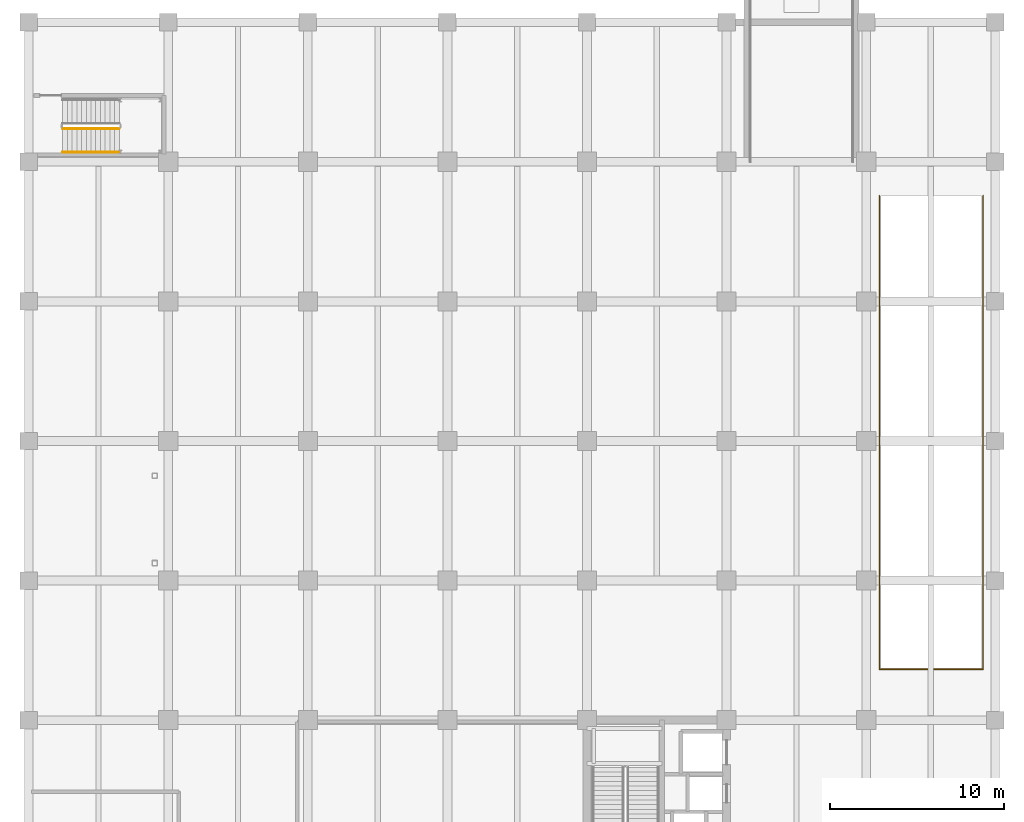
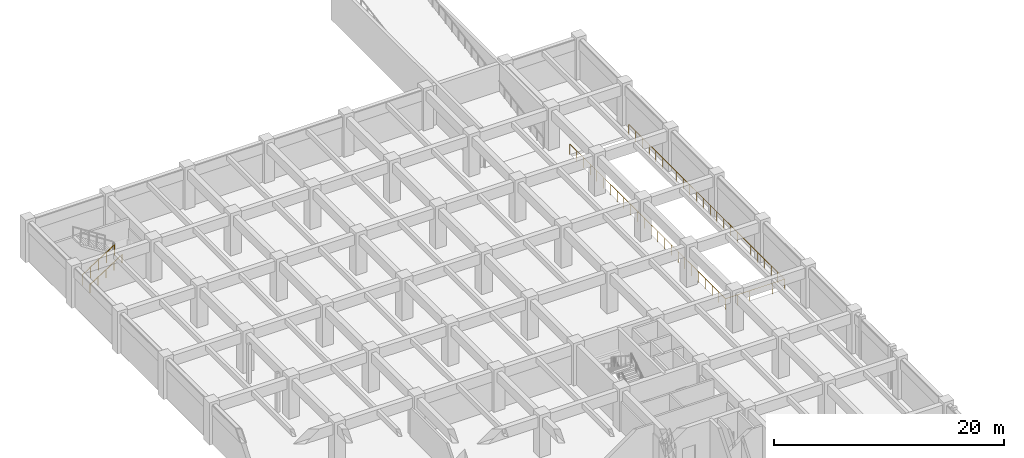
# One storey, part 14 of 16: 3 railings.
"""IFC4 building model written with IfcOpenShell, lengths in metres."""

from ifc_helpers import new_model, si_unit, direction, frame, origin, origin_2d, place, context, subcontext, project, spatial, circle, extrude, material, type_object, element, save


model = new_model("IFC4")

# Units and contexts
model_context = context("Model", 3, precision=1e-05, world=origin(), true_north=direction((0.0, 1.0)))
body_context = subcontext(model_context, "Body", "Model", "MODEL_VIEW")
ifc_project = project(units=[si_unit("LENGTHUNIT", "METRE"), si_unit("AREAUNIT", "SQUARE_METRE"), si_unit("VOLUMEUNIT", "CUBIC_METRE"), si_unit("PLANEANGLEUNIT", "RADIAN"), si_unit("MASSUNIT", "GRAM", prefix="KILO")], contexts=[model_context])

# Site, building, storey
site_placement = place(None, origin())
site = spatial("IfcSite", under=ifc_project, at=site_placement, CompositionType="ELEMENT")
building_placement = place(site_placement, origin())
building = spatial("IfcBuilding", under=site, at=building_placement, Name="Canggui Botanical Conservatory", CompositionType="ELEMENT")
storey_placement = place(building_placement, frame((0.0, 0.0, -4.5)))
storey = spatial("IfcBuildingStorey", under=building, at=storey_placement, Name="B1", CompositionType="ELEMENT", Elevation=-4.5)

# Railings
ifc_material_1 = material(Name="Stainless Steel 304", Category="steel")
railing_type_1 = type_object("IfcRailingType", Name="RAIL-GUARD-1100", PredefinedType="BALUSTRADE", material=ifc_material_1)
railing_1_placement = place(storey_placement, frame((123.949951171875, 99.89990234375, 0.173095703125)))
element("IfcRailing", 1, at=railing_1_placement, inside=storey, type_object=railing_type_1, Name="B1 ST-G2 stair guard 1", PredefinedType="BALUSTRADE", context=body_context, shape_type="SweptSolid", body=[
    extrude(circle(Radius=0.02392578125, at=origin_2d()), frame((0.0, 0.0, 1.076171875), z_axis=(0.841880617004, 0.0, 0.539663808971), x_axis=(0.0, 1.0, 0.0)), (0.0, 0.0, 1.0), 3.8486328125),
    extrude(circle(Radius=0.02099609375, at=origin_2d()), origin(), (0.0, 0.0, 1.0), 1.052001953125),
    extrude(circle(Radius=0.02099609375, at=origin_2d()), frame((0.81005859375, 0.0, 0.519287109375)), (0.0, 0.0, 1.0), 1.052001953125),
    extrude(circle(Radius=0.02099609375, at=origin_2d()), frame((1.6201171875, 0.0, 1.03857421875)), (0.0, 0.0, 1.0), 1.052001953125),
    extrude(circle(Radius=0.02099609375, at=origin_2d()), frame((2.429931640625, 0.0, 1.5576171875)), (0.0, 0.0, 1.0), 1.052001953125),
    extrude(circle(Radius=0.02099609375, at=origin_2d()), frame((3.239990234375, 0.0, 2.076904296875)), (0.0, 0.0, 1.0), 1.052001953125),
])
railing_type_2 = type_object("IfcRailingType", Name="RAIL-HAND-900", PredefinedType="HANDRAIL", material=ifc_material_1)
railing_2_placement = place(storey_placement, frame((123.949951171875, 98.550048828125, 0.173095703125)))
element("IfcRailing", 2, at=railing_2_placement, inside=storey, type_object=railing_type_2, Name="B1 ST-G2 stair handrail 1", PredefinedType="HANDRAIL", context=body_context, shape_type="SweptSolid", body=[
    extrude(circle(Radius=0.02392578125, at=origin_2d()), frame((0.0, 0.0, 0.8759765625), z_axis=(0.841880617004, 0.0, 0.539663808971), x_axis=(0.0, 1.0, 0.0)), (0.0, 0.0, 1.0), 3.8486328125),
    extrude(circle(Radius=0.02099609375, at=origin_2d()), origin(), (0.0, 0.0, 1.0), 0.851806640625),
    extrude(circle(Radius=0.02099609375, at=origin_2d()), frame((0.81005859375, 0.0, 0.519287109375)), (0.0, 0.0, 1.0), 0.851806640625),
    extrude(circle(Radius=0.02099609375, at=origin_2d()), frame((1.6201171875, 0.0, 1.03857421875)), (0.0, 0.0, 1.0), 0.851806640625),
    extrude(circle(Radius=0.02099609375, at=origin_2d()), frame((2.429931640625, 0.0, 1.5576171875)), (0.0, 0.0, 1.0), 0.851806640625),
    extrude(circle(Radius=0.02099609375, at=origin_2d()), frame((3.239990234375, 0.0, 2.076904296875)), (0.0, 0.0, 1.0), 0.851806640625),
])
ifc_material_2 = material(Name="Laminated Safety Glass", Category="glass")
railing_type_3 = type_object("IfcRailingType", Name="RAIL-VOID-1150", PredefinedType="BALUSTRADE", material=ifc_material_2)
railing_3_placement = place(storey_placement, frame((170.760009765625, 96.050048828125, 0.0)))
element("IfcRailing", 3, at=railing_3_placement, inside=storey, type_object=railing_type_3, Name="Vehicle Ramp VR-02 B1 Well Guard", PredefinedType="BALUSTRADE", context=body_context, shape_type="SweptSolid", body=[
    extrude(circle(Radius=0.02392578125, at=origin_2d()), frame((0.0, 0.0, 1.1259765625), z_axis=(0.0, -1.0, 0.0), x_axis=(1.0, 0.0, 0.0)), (0.0, 0.0, 1.0), 27.130126953125),
    extrude(circle(Radius=0.02392578125, at=origin_2d()), frame((0.0, -27.130126953125, 1.1259765625), z_axis=(1.0, 0.0, 0.0), x_axis=(0.0, 1.0, 0.0)), (0.0, 0.0, 1.0), 5.93994140625),
    extrude(circle(Radius=0.02392578125, at=origin_2d()), frame((5.93994140625, -27.130126953125, 1.1259765625), z_axis=(0.0, 1.0, 0.0), x_axis=(-1.0, 0.0, 0.0)), (0.0, 0.0, 1.0), 27.130126953125),
    extrude(circle(Radius=0.02099609375, at=origin_2d()), origin(), (0.0, 0.0, 1.0), 1.101806640625),
    extrude(circle(Radius=0.02099609375, at=origin_2d()), frame((0.0, -1.1796875, 0.0)), (0.0, 0.0, 1.0), 1.101806640625),
    extrude(circle(Radius=0.02099609375, at=origin_2d()), frame((0.0, -2.359130859375, 0.0)), (0.0, 0.0, 1.0), 1.101806640625),
    extrude(circle(Radius=0.02099609375, at=origin_2d()), frame((0.0, -3.538818359375, 0.0)), (0.0, 0.0, 1.0), 1.101806640625),
    extrude(circle(Radius=0.02099609375, at=origin_2d()), frame((0.0, -4.71826171875, 0.0)), (0.0, 0.0, 1.0), 1.101806640625),
    extrude(circle(Radius=0.02099609375, at=origin_2d()), frame((0.0, -5.89794921875, 0.0)), (0.0, 0.0, 1.0), 1.101806640625),
    extrude(circle(Radius=0.02099609375, at=origin_2d()), frame((0.0, -7.077392578125, 0.0)), (0.0, 0.0, 1.0), 1.101806640625),
    extrude(circle(Radius=0.02099609375, at=origin_2d()), frame((0.0, -8.257080078125, 0.0)), (0.0, 0.0, 1.0), 1.101806640625),
    extrude(circle(Radius=0.02099609375, at=origin_2d()), frame((0.0, -9.4365234375, 0.0)), (0.0, 0.0, 1.0), 1.101806640625),
    extrude(circle(Radius=0.02099609375, at=origin_2d()), frame((0.0, -10.6162109375, 0.0)), (0.0, 0.0, 1.0), 1.101806640625),
    extrude(circle(Radius=0.02099609375, at=origin_2d()), frame((0.0, -11.795654296875, 0.0)), (0.0, 0.0, 1.0), 1.101806640625),
    extrude(circle(Radius=0.02099609375, at=origin_2d()), frame((0.0, -12.975341796875, 0.0)), (0.0, 0.0, 1.0), 1.101806640625),
    extrude(circle(Radius=0.02099609375, at=origin_2d()), frame((0.0, -14.15478515625, 0.0)), (0.0, 0.0, 1.0), 1.101806640625),
    extrude(circle(Radius=0.02099609375, at=origin_2d()), frame((0.0, -15.33447265625, 0.0)), (0.0, 0.0, 1.0), 1.101806640625),
    extrude(circle(Radius=0.02099609375, at=origin_2d()), frame((0.0, -16.513916015625, 0.0)), (0.0, 0.0, 1.0), 1.101806640625),
    extrude(circle(Radius=0.02099609375, at=origin_2d()), frame((0.0, -17.693603515625, 0.0)), (0.0, 0.0, 1.0), 1.101806640625),
    extrude(circle(Radius=0.02099609375, at=origin_2d()), frame((0.0, -18.873046875, 0.0)), (0.0, 0.0, 1.0), 1.101806640625),
    extrude(circle(Radius=0.02099609375, at=origin_2d()), frame((0.0, -20.052734375, 0.0)), (0.0, 0.0, 1.0), 1.101806640625),
    extrude(circle(Radius=0.02099609375, at=origin_2d()), frame((0.0, -21.232177734375, 0.0)), (0.0, 0.0, 1.0), 1.101806640625),
    extrude(circle(Radius=0.02099609375, at=origin_2d()), frame((0.0, -22.411865234375, 0.0)), (0.0, 0.0, 1.0), 1.101806640625),
    extrude(circle(Radius=0.02099609375, at=origin_2d()), frame((0.0, -23.59130859375, 0.0)), (0.0, 0.0, 1.0), 1.101806640625),
    extrude(circle(Radius=0.02099609375, at=origin_2d()), frame((0.0, -24.77099609375, 0.0)), (0.0, 0.0, 1.0), 1.101806640625),
    extrude(circle(Radius=0.02099609375, at=origin_2d()), frame((0.0, -25.950439453125, 0.0)), (0.0, 0.0, 1.0), 1.101806640625),
    extrude(circle(Radius=0.02099609375, at=origin_2d()), frame((0.0, -27.130126953125, 0.0)), (0.0, 0.0, 1.0), 1.101806640625),
    extrude(circle(Radius=0.02099609375, at=origin_2d()), frame((1.18798828125, -27.130126953125, 0.0)), (0.0, 0.0, 1.0), 1.101806640625),
    extrude(circle(Radius=0.02099609375, at=origin_2d()), frame((2.3759765625, -27.130126953125, 0.0)), (0.0, 0.0, 1.0), 1.101806640625),
    extrude(circle(Radius=0.02099609375, at=origin_2d()), frame((3.56396484375, -27.130126953125, 0.0)), (0.0, 0.0, 1.0), 1.101806640625),
    extrude(circle(Radius=0.02099609375, at=origin_2d()), frame((4.751953125, -27.130126953125, 0.0)), (0.0, 0.0, 1.0), 1.101806640625),
    extrude(circle(Radius=0.02099609375, at=origin_2d()), frame((5.93994140625, -27.130126953125, 0.0)), (0.0, 0.0, 1.0), 1.101806640625),
    extrude(circle(Radius=0.02099609375, at=origin_2d()), frame((5.93994140625, -25.950439453125, 0.0)), (0.0, 0.0, 1.0), 1.101806640625),
    extrude(circle(Radius=0.02099609375, at=origin_2d()), frame((5.93994140625, -24.77099609375, 0.0)), (0.0, 0.0, 1.0), 1.101806640625),
    extrude(circle(Radius=0.02099609375, at=origin_2d()), frame((5.93994140625, -23.59130859375, 0.0)), (0.0, 0.0, 1.0), 1.101806640625),
    extrude(circle(Radius=0.02099609375, at=origin_2d()), frame((5.93994140625, -22.411865234375, 0.0)), (0.0, 0.0, 1.0), 1.101806640625),
    extrude(circle(Radius=0.02099609375, at=origin_2d()), frame((5.93994140625, -21.232177734375, 0.0)), (0.0, 0.0, 1.0), 1.101806640625),
    extrude(circle(Radius=0.02099609375, at=origin_2d()), frame((5.93994140625, -20.052734375, 0.0)), (0.0, 0.0, 1.0), 1.101806640625),
    extrude(circle(Radius=0.02099609375, at=origin_2d()), frame((5.93994140625, -18.873046875, 0.0)), (0.0, 0.0, 1.0), 1.101806640625),
    extrude(circle(Radius=0.02099609375, at=origin_2d()), frame((5.93994140625, -17.693603515625, 0.0)), (0.0, 0.0, 1.0), 1.101806640625),
    extrude(circle(Radius=0.02099609375, at=origin_2d()), frame((5.93994140625, -16.513916015625, 0.0)), (0.0, 0.0, 1.0), 1.101806640625),
    extrude(circle(Radius=0.02099609375, at=origin_2d()), frame((5.93994140625, -15.33447265625, 0.0)), (0.0, 0.0, 1.0), 1.101806640625),
    extrude(circle(Radius=0.02099609375, at=origin_2d()), frame((5.93994140625, -14.15478515625, 0.0)), (0.0, 0.0, 1.0), 1.101806640625),
    extrude(circle(Radius=0.02099609375, at=origin_2d()), frame((5.93994140625, -12.975341796875, 0.0)), (0.0, 0.0, 1.0), 1.101806640625),
    extrude(circle(Radius=0.02099609375, at=origin_2d()), frame((5.93994140625, -11.795654296875, 0.0)), (0.0, 0.0, 1.0), 1.101806640625),
    extrude(circle(Radius=0.02099609375, at=origin_2d()), frame((5.93994140625, -10.6162109375, 0.0)), (0.0, 0.0, 1.0), 1.101806640625),
    extrude(circle(Radius=0.02099609375, at=origin_2d()), frame((5.93994140625, -9.4365234375, 0.0)), (0.0, 0.0, 1.0), 1.101806640625),
    extrude(circle(Radius=0.02099609375, at=origin_2d()), frame((5.93994140625, -8.257080078125, 0.0)), (0.0, 0.0, 1.0), 1.101806640625),
    extrude(circle(Radius=0.02099609375, at=origin_2d()), frame((5.93994140625, -7.077392578125, 0.0)), (0.0, 0.0, 1.0), 1.101806640625),
    extrude(circle(Radius=0.02099609375, at=origin_2d()), frame((5.93994140625, -5.89794921875, 0.0)), (0.0, 0.0, 1.0), 1.101806640625),
    extrude(circle(Radius=0.02099609375, at=origin_2d()), frame((5.93994140625, -4.71826171875, 0.0)), (0.0, 0.0, 1.0), 1.101806640625),
    extrude(circle(Radius=0.02099609375, at=origin_2d()), frame((5.93994140625, -3.538818359375, 0.0)), (0.0, 0.0, 1.0), 1.101806640625),
    extrude(circle(Radius=0.02099609375, at=origin_2d()), frame((5.93994140625, -2.359130859375, 0.0)), (0.0, 0.0, 1.0), 1.101806640625),
    extrude(circle(Radius=0.02099609375, at=origin_2d()), frame((5.93994140625, -1.1796875, 0.0)), (0.0, 0.0, 1.0), 1.101806640625),
    extrude(circle(Radius=0.02099609375, at=origin_2d()), frame((5.93994140625, 0.0, 0.0)), (0.0, 0.0, 1.0), 1.101806640625),
])

save(model, "model.ifc")
